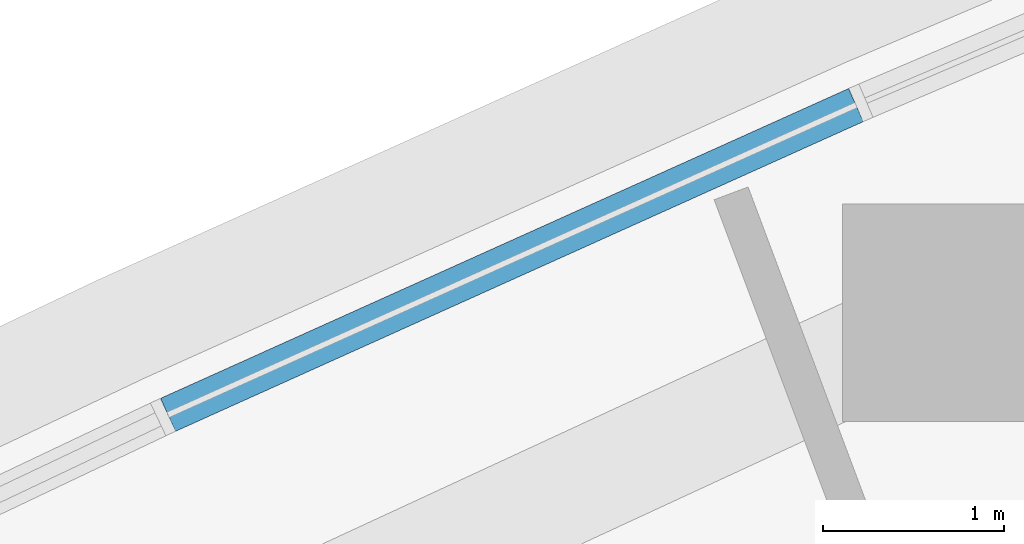
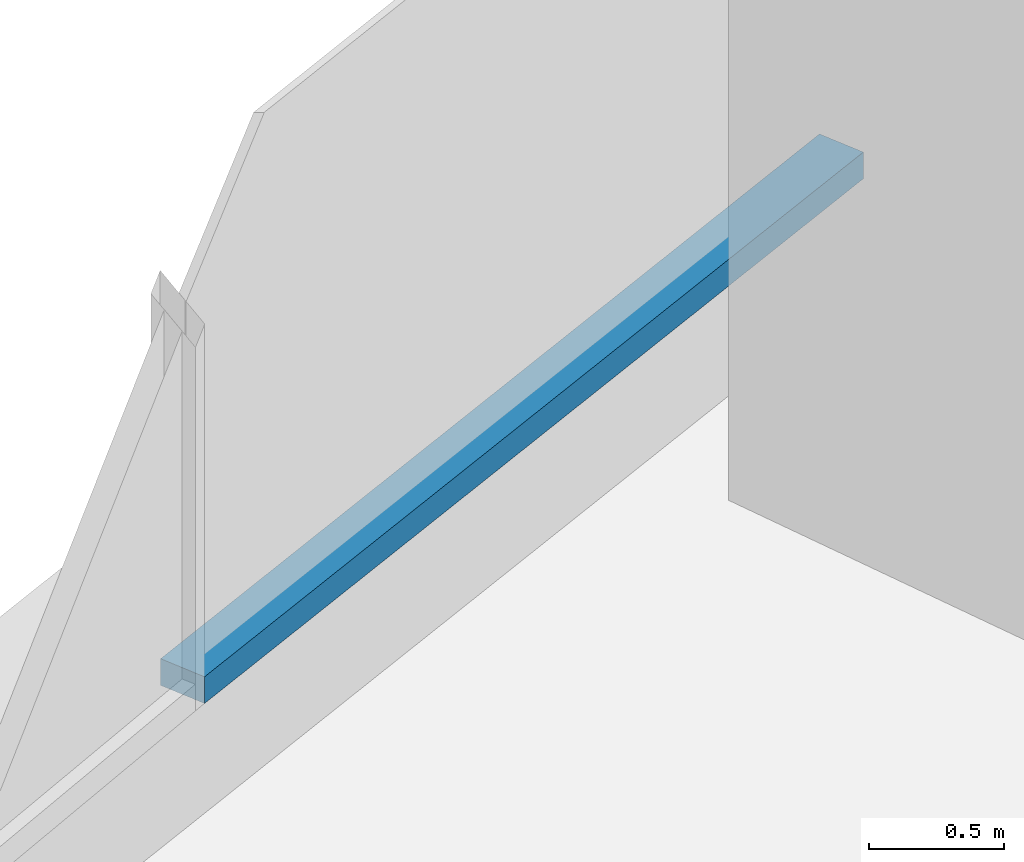
# One storey, part 3 of 15: 1 member, 1 element without a shape of its own.
"""IFC4 building model written with IfcOpenShell, lengths in metres."""

from ifc_helpers import new_model, si_unit, direction, frame, origin, origin_2d, place, context, subcontext, project, spatial, rectangle, extrude, material, layer, layer_set, material_profile, profile_set, type_object, element, aggregate, save


model = new_model("IFC4")

# Units and contexts
model_context = context("Model", 3, precision=1e-05, world=origin(), true_north=direction((0.0, 1.0)))
body_context = subcontext(model_context, "Body", "Model", "MODEL_VIEW")
ifc_project = project(units=[si_unit("LENGTHUNIT", "METRE"), si_unit("AREAUNIT", "SQUARE_METRE"), si_unit("VOLUMEUNIT", "CUBIC_METRE"), si_unit("PLANEANGLEUNIT", "RADIAN"), si_unit("MASSUNIT", "GRAM", prefix="KILO")], contexts=[model_context])

# Site, building, storey
site_placement = place(None, origin())
site = spatial("IfcSite", under=ifc_project, at=site_placement, CompositionType="ELEMENT")
building_placement = place(site_placement, origin())
building = spatial("IfcBuilding", under=site, at=building_placement, Name="Ostrand Prow Hotel Tower", CompositionType="ELEMENT")
storey_placement = place(building_placement, frame((0.0, 0.0, 231.449951171875)))
storey = spatial("IfcBuildingStorey", under=building, at=storey_placement, Name="L58", CompositionType="ELEMENT", Elevation=231.449951171875)

# Curtain wall, member
ifc_material_1 = material(Name="Insulated glass in bronze anodised frame", Category="glass")
ifc_layer = layer(ifc_material_1, 0.199951171875)
ifc_layer_set = layer_set([ifc_layer], Name="Insulated glass in bronze anodised frame")
curtain_wall_type = type_object("IfcCurtainWallType", Name="Strip curtain wall, fritted glass over bronze spandrel", PredefinedType="NOTDEFINED", material=ifc_layer_set)
curtain_wall_placement = place(storey_placement, origin())
curtain_wall = element("IfcCurtainWall", 1, at=curtain_wall_placement, inside=storey, type_object=curtain_wall_type, Name="CW1 run CWN5", PredefinedType="NOTDEFINED")
ifc_material_2 = material(Name="Bronze anodised aluminium", Category="aluminium")
ifc_material_profile = material_profile(ifc_material_2, rectangle(XDim=0.199951171875, YDim=0.1201171875, at=origin_2d()), Name="Transom 120x200 bronze anodised aluminium")
ifc_profile_set = profile_set([ifc_material_profile], Name="Bronze anodised aluminium")
member_type = type_object("IfcMemberType", Name="Transom 120x200 bronze anodised aluminium", PredefinedType="USERDEFINED", material=ifc_profile_set)
member_placement = place(storey_placement, frame((20.53271484375, 10.10400390625, 0.9599609375), z_axis=(-0.911832617051, -0.410562149353, 0.0), x_axis=(0.410562149353, -0.911832617051, 0.0)))
member = element("IfcMember", 2, at=member_placement, type_object=member_type, Name="CW1 transom 1.1", ObjectType="TRANSOM", PredefinedType="USERDEFINED", context=body_context, shape_type="SweptSolid", body=[
    extrude(rectangle(XDim=0.199951171875, YDim=0.1201171875, at=origin_2d()), origin(), (0.0, 0.0, 1.0), 4.163818359375),
])
aggregate(curtain_wall, [member])

save(model, "model.ifc")
